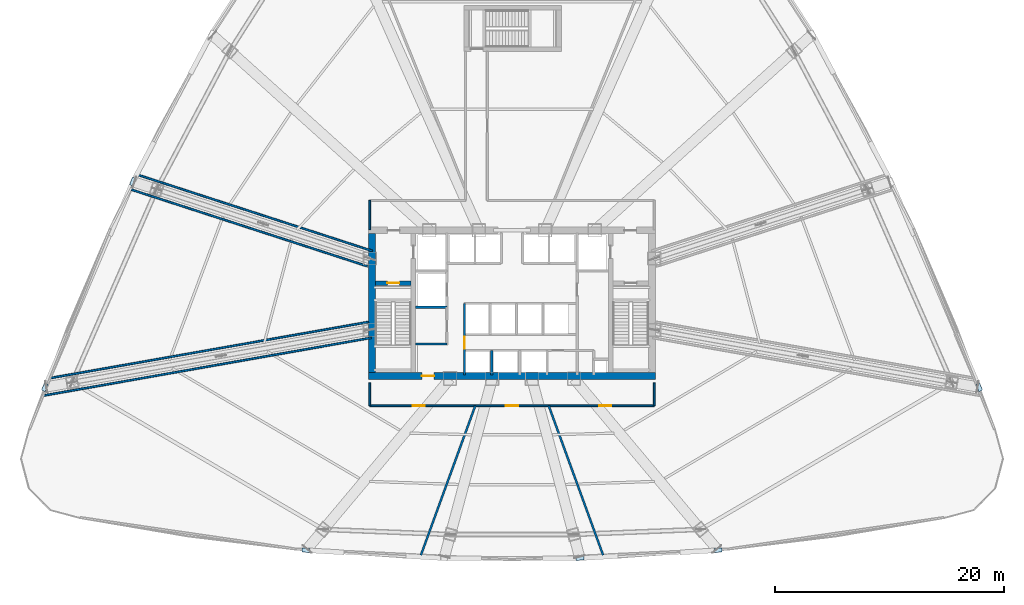
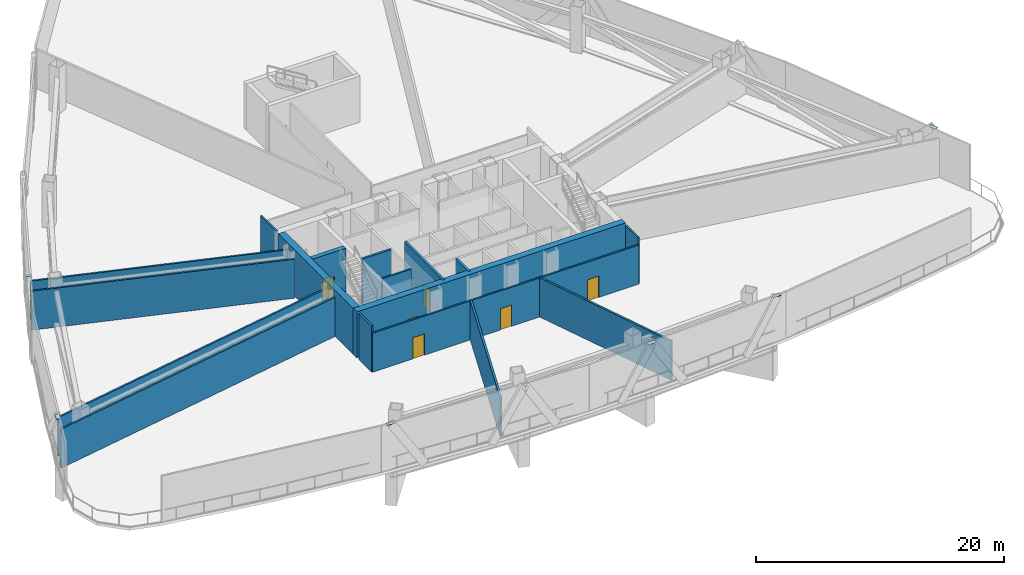
# One storey, part 9 of 17: 17 walls, 6 doors, 6 plates, 6 openings.
"""IFC4 building model written with IfcOpenShell, lengths in metres."""

import ifcopenshell
import ifcopenshell.guid

model = None  # the IFC model being written
_history = None  # IfcOwnerHistory: only IFC2X3 demands one
_inside = {}  # id of a spatial element -> (the spatial element, [elements in it])
_under = {}  # id of a project, library or spatial element -> (it, [spatial elements below it])
_declared = {}  # id of a project -> (the project, [libraries it declares])
_typed = {}  # id of a type object -> (the type object, [elements of that type])
_made_of = {}  # id of a material, layer set ... -> (it, [elements and type objects made of it])


def new_model(schema):
    """Start an empty IFC model of exactly this schema.

    Asked for "IFC4X3", IfcOpenShell would pick the latest addendum, in which some entities
    have other attributes; the version numbers below select the first issue.
    IFC2X3 requires an IfcOwnerHistory on every rooted entity: one is made here for all.
    """
    global model, _history
    if schema == "IFC4X3":
        model = ifcopenshell.file(schema_version=(4, 3, 0, 0))
    else:
        model = ifcopenshell.file(schema=schema)
    _inside.clear()
    _under.clear()
    _declared.clear()
    _typed.clear()
    _made_of.clear()
    _history = None
    if model.schema == "IFC2X3":
        org = make("IfcOrganization", Name="unknown")
        user = make(
            "IfcPersonAndOrganization",
            ThePerson=make("IfcPerson", FamilyName="unknown"),
            TheOrganization=org,
        )
        app = make(
            "IfcApplication",
            ApplicationDeveloper=org,
            Version="unknown",
            ApplicationFullName="unknown",
            ApplicationIdentifier="unknown",
        )
        _history = make(
            "IfcOwnerHistory",
            OwningUser=user,
            OwningApplication=app,
            ChangeAction="ADDED",
            CreationDate=0,
        )
    return model


def make(cls, **values):
    """One entity of the class cls with the attributes given. An attribute that is None is left unset."""
    return model.create_entity(
        cls, **{name: value for name, value in values.items() if value is not None}
    )


def rooted(cls, **values):
    """An entity with a GlobalId (a new one), such as an element, a storey or a relation."""
    return make(cls, GlobalId=ifcopenshell.guid.new(), OwnerHistory=_history, **values)


def si_unit(unit_type, name, prefix=None):
    """IfcSIUnit, for example si_unit("LENGTHUNIT", "METRE", prefix="MILLI")."""
    return make("IfcSIUnit", UnitType=unit_type, Prefix=prefix, Name=name)


def assignment(units):
    """IfcUnitAssignment: the units of a project."""
    return None if units is None else make("IfcUnitAssignment", Units=units)


def point(xyz):
    """IfcCartesianPoint."""
    return None if xyz is None else make("IfcCartesianPoint", Coordinates=xyz)


def direction(xyz):
    """IfcDirection."""
    return None if xyz is None else make("IfcDirection", DirectionRatios=xyz)


def frame(location, z_axis=None, x_axis=None):
    """IfcAxis2Placement3D, a coordinate frame: its origin and axes. An axis left out is left unset."""
    return make(
        "IfcAxis2Placement3D",
        Location=point(location),
        Axis=direction(z_axis),
        RefDirection=direction(x_axis),
    )


def frame_2d(location, x_axis=None):
    """IfcAxis2Placement2D, a coordinate frame in the plane: its origin and x axis."""
    return make(
        "IfcAxis2Placement2D", Location=point(location), RefDirection=direction(x_axis)
    )


def origin():
    """The frame at (0, 0, 0) with its axes left unset."""
    return frame((0.0, 0.0, 0.0))


def origin_with_axes():
    """The frame at (0, 0, 0) with the z axis (0, 0, 1) and the x axis (1, 0, 0) written out."""
    return frame((0.0, 0.0, 0.0), z_axis=(0.0, 0.0, 1.0), x_axis=(1.0, 0.0, 0.0))


def origin_2d():
    """The frame at (0, 0) in the plane with its x axis left unset."""
    return frame_2d((0.0, 0.0))


def place(relative_to, where):
    """IfcLocalPlacement: puts the frame where relative to a parent placement (None: the world)."""
    return make(
        "IfcLocalPlacement", PlacementRelTo=relative_to, RelativePlacement=where
    )


def context(
    kind, dimensions, precision=None, world=None, true_north=None, identifier=None
):
    """IfcGeometricRepresentationContext, for example the 3D "Model" context."""
    return make(
        "IfcGeometricRepresentationContext",
        ContextIdentifier=identifier,
        ContextType=kind,
        CoordinateSpaceDimension=dimensions,
        Precision=precision,
        WorldCoordinateSystem=world,
        TrueNorth=true_north,
    )


def subcontext(parent, identifier, kind, view, scale=None):
    """IfcGeometricRepresentationSubContext, for example "Body" below "Model"."""
    return make(
        "IfcGeometricRepresentationSubContext",
        ContextIdentifier=identifier,
        ContextType=kind,
        ParentContext=parent,
        TargetScale=scale,
        TargetView=view,
    )


def project(units=None, contexts=None):
    """IfcProject with its units and contexts."""
    return rooted(
        "IfcProject",
        Name="project",
        RepresentationContexts=contexts,
        UnitsInContext=assignment(units),
    )


def spatial(cls, under=None, at=None, **own):
    """A site, building, storey or space (cls), placed at a placement, below another one or the project."""
    s = rooted(cls, ObjectPlacement=at, **own)
    if under is not None:
        _under.setdefault(under.id(), (under, []))[1].append(s)
    return s


def profile(cls, at=None, kind="AREA", **sizes):
    """A parametric profile (cls). Its sizes go by their IFC names, for example OverallWidth=200.0."""
    return make(cls, ProfileType=kind, Position=at, **sizes)


def rectangle(**sizes):
    """IfcRectangleProfileDef."""
    return profile("IfcRectangleProfileDef", **sizes)


def extrude(swept, where, along, depth):
    """IfcExtrudedAreaSolid: the profile swept, set in the frame where, extruded along a direction by depth."""
    return make(
        "IfcExtrudedAreaSolid",
        SweptArea=swept,
        Position=where,
        ExtrudedDirection=direction(along),
        Depth=depth,
    )


def shape(context_of_items, identifier, shape_type, items):
    """IfcShapeRepresentation: the items that make up one representation, for example the "Body"."""
    return make(
        "IfcShapeRepresentation",
        ContextOfItems=context_of_items,
        RepresentationIdentifier=identifier,
        RepresentationType=shape_type,
        Items=items,
    )


def source(mapping_origin, context_of_items, identifier, shape_type, items):
    """IfcRepresentationMap: a shape defined once, which mapped items show again and again."""
    return make(
        "IfcRepresentationMap",
        MappingOrigin=mapping_origin,
        MappedRepresentation=shape(context_of_items, identifier, shape_type, items),
    )


def transform(
    local_origin,
    x_axis=None,
    y_axis=None,
    z_axis=None,
    scale=None,
    scale2=None,
    scale3=None,
    uniform=True,
):
    """IfcCartesianTransformationOperator3D, or its non-uniform kind. x_axis, y_axis, z_axis: its Axis1, 2, 3."""
    if uniform:
        return make(
            "IfcCartesianTransformationOperator3D",
            Axis1=direction(x_axis),
            Axis2=direction(y_axis),
            LocalOrigin=point(local_origin),
            Scale=scale,
            Axis3=direction(z_axis),
        )
    return make(
        "IfcCartesianTransformationOperator3DnonUniform",
        Axis1=direction(x_axis),
        Axis2=direction(y_axis),
        LocalOrigin=point(local_origin),
        Scale=scale,
        Axis3=direction(z_axis),
        Scale2=scale2,
        Scale3=scale3,
    )


def mapped(mapping_source, mapping_target):
    """IfcMappedItem: shows the shape of a source again, moved by a transform."""
    return make(
        "IfcMappedItem", MappingSource=mapping_source, MappingTarget=mapping_target
    )


def material(Name=None, Category=None):
    """IfcMaterial."""
    return make("IfcMaterial", Name=Name, Category=Category)


def layer(
    of_material, thickness, ventilated=None, Name=None, Category=None, Priority=None
):
    """IfcMaterialLayer: one layer of a wall or slab, of a material (None: an air gap)."""
    return make(
        "IfcMaterialLayer",
        Material=of_material,
        LayerThickness=thickness,
        IsVentilated=ventilated,
        Name=Name,
        Category=Category,
        Priority=Priority,
    )


def layer_set(layers, Name=None):
    """IfcMaterialLayerSet."""
    return make("IfcMaterialLayerSet", MaterialLayers=layers, LayerSetName=Name)


def made_of(thing, what):
    """Note that an element or type object is made of a material, layer set ...; save() writes the relation."""
    if what is not None:
        _made_of.setdefault(what.id(), (what, []))[1].append(thing)
    return thing


def type_object(cls, material=None, **own):
    """A type object (cls), such as IfcWallType, which elements share."""
    return made_of(rooted(cls, **own), material)


def element(
    cls,
    number,
    at=None,
    inside=None,
    cuts=None,
    type_object=None,
    material=None,
    context=None,
    identifier="Body",
    shape_type=None,
    held_by="IfcProductDefinitionShape",
    body=None,
    shapes=None,
    **own,
):
    """One element of the class cls, such as IfcWall. Its Tag is "e" and its number.

    at: its placement. inside: the storey or other place that contains it. cuts: it is an
    opening in that element (IfcRelVoidsElement). A single representation is given by context,
    identifier, shape_type and body (its items); several are given by shapes. held_by: the class
    of the entity that holds the representations. save() writes the other relations.
    """
    e = rooted(cls, Tag="e%d" % number, ObjectPlacement=at, **own)
    if body is not None:
        shapes = [shape(context, identifier, shape_type, body)]
    if shapes is not None:
        e.Representation = make(held_by, Representations=shapes)
    if inside is not None:
        _inside.setdefault(inside.id(), (inside, []))[1].append(e)
    if cuts is not None:
        rooted(
            "IfcRelVoidsElement", RelatingBuildingElement=cuts, RelatedOpeningElement=e
        )
    if type_object is not None:
        _typed.setdefault(type_object.id(), (type_object, []))[1].append(e)
    return made_of(e, material)


def fill(opening, filler):
    """IfcRelFillsElement: the door or window that sits in an opening."""
    return rooted(
        "IfcRelFillsElement",
        RelatingOpeningElement=opening,
        RelatedBuildingElement=filler,
    )


def aggregate(whole, parts):
    """IfcRelAggregates: a whole, such as a stair, and the parts it consists of."""
    return rooted("IfcRelAggregates", RelatingObject=whole, RelatedObjects=parts)


def save(model, path):
    """Write the relations noted so far, then the file.

    IfcRelAggregates (storeys below a building ...), IfcRelContainedInSpatialStructure (elements
    in a storey), IfcRelDefinesByType, IfcRelAssociatesMaterial and IfcRelDeclares: one each for
    every whole, place, type object, material and project.
    """
    for whole, parts in _under.values():
        aggregate(whole, parts)
    for where, things in _inside.values():
        rooted(
            "IfcRelContainedInSpatialStructure",
            RelatedElements=things,
            RelatingStructure=where,
        )
    for kind, things in _typed.values():
        rooted("IfcRelDefinesByType", RelatedObjects=things, RelatingType=kind)
    for what, things in _made_of.values():
        rooted("IfcRelAssociatesMaterial", RelatedObjects=things, RelatingMaterial=what)
    for by, libraries in _declared.values():
        rooted("IfcRelDeclares", RelatingContext=by, RelatedDefinitions=libraries)
    model.write(path)


model = new_model("IFC4")

# Units and contexts
model_context = context("Model", 3, precision=1e-05, world=origin(), true_north=direction((0.0, 1.0)))
body_context = subcontext(model_context, "Body", "Model", "MODEL_VIEW")
ifc_project = project(units=[si_unit("LENGTHUNIT", "METRE"), si_unit("AREAUNIT", "SQUARE_METRE"), si_unit("VOLUMEUNIT", "CUBIC_METRE"), si_unit("PLANEANGLEUNIT", "RADIAN"), si_unit("MASSUNIT", "GRAM", prefix="KILO"), si_unit("THERMODYNAMICTEMPERATUREUNIT", "KELVIN"), si_unit("POWERUNIT", "WATT")], contexts=[model_context])

# Site, building, storey
site_placement = place(None, origin())
site = spatial("IfcSite", under=ifc_project, at=site_placement, CompositionType="ELEMENT")
building_placement = place(site_placement, origin())
building = spatial("IfcBuilding", under=site, at=building_placement, Name="Yunzhuo Pagoda Commons", CompositionType="ELEMENT")
storey_placement = place(building_placement, frame((0.0, 0.0, 76.3798828125)))
storey = spatial("IfcBuildingStorey", under=building, at=storey_placement, Name="L19", CompositionType="ELEMENT", Elevation=76.3798828125)

# Plates
ifc_material_1 = material(Name="Structural steel Q355B", Category="steel")
ifc_layer_1 = layer(ifc_material_1, 0.028076171875)
ifc_layer_set_1 = layer_set([ifc_layer_1], Name="Structural steel Q355B")
plate_type = type_object("IfcPlateType", Name="SP-ND1 Lattice Node Cap Plate 800x500x28", PredefinedType="USERDEFINED", material=ifc_layer_set_1)
shared_shape_1 = source(origin(), body_context, "Body", "SweptSolid", [
    extrude(rectangle(XDim=0.699951171875, YDim=0.35009765625, at=origin_2d()), origin(), (0.0, 0.0, 1.0), 0.035888671875),
])
for number, where, z_axis, x_axis, name in (
    (1, (30.037841796875, 12.293701171875, 4.501953125), (0.0, 0.0, 1.0), (0.998349844337, -0.057424631585, 0.0), "L19 setback lattice tie plate F1.1L"),
    (2, (53.92138671875, 11.60107421875, 4.501953125), (0.0, 0.0, 1.0), (0.998349844337, 0.057424631585, 0.0), "L19 setback lattice tie plate F1.3L"),
    (3, (65.962158203125, 12.293701171875, 4.501953125), (0.0, 0.0, 1.0), (0.998349844337, 0.057424631585, 0.0), "L19 setback lattice tie plate F1.3R"),
    (4, (88.742919921875, 26.515869140625, 4.501953125), (0.0, 0.0, 1.0), (-0.39366917931, 0.919252183713, 0.0), "L19 setback lattice tie plate F2.1L"),
    (5, (14.934814453125, 44.443603515625, 4.501953125), (0.0, 0.0, 1.0), (-0.39366917931, -0.919252183713, 0.0), "L19 setback lattice tie plate F3.3L"),
    (6, (7.257080078125, 26.515869140625, 4.501953125), (0.0, 0.0, 1.0), (-0.39366917931, -0.919252183713, 0.0), "L19 setback lattice tie plate F3.3R"),
):
    element("IfcPlate", number, at=place(storey_placement, frame(where, z_axis=z_axis, x_axis=x_axis)), inside=storey, type_object=plate_type, Name=name, ObjectType="STIFFENER_PLATE", PredefinedType="USERDEFINED", context=body_context, shape_type="MappedRepresentation", body=[
        mapped(shared_shape_1, transform((0.0, 0.0, 0.0), scale=1.0)),
    ])

# Wall, opening, door
ifc_material_2 = material(Name="Concrete C60", Category="concrete")
ifc_layer_2 = layer(ifc_material_2, 0.60009765625)
ifc_layer_set_2 = layer_set([ifc_layer_2], Name="Concrete C60")
wall_type_1 = type_object("IfcWallType", Name="W-C02 Mid Core Shear Wall 600", PredefinedType="SHEAR", material=ifc_layer_set_2)
wall_1_placement = place(storey_placement, frame((35.5, 27.5, 0.0), z_axis=(0.0, 0.0, 1.0), x_axis=(1.0, 0.0, 0.0)))
wall_1 = element("IfcWall", 7, at=wall_1_placement, inside=storey, type_object=wall_type_1, Name="L19 core shear wall S", PredefinedType="SHEAR", context=body_context, shape_type="SweptSolid", body=[
    extrude(rectangle(XDim=25.0, YDim=0.60009765625, at=frame_2d((12.5, 0.0))), origin(), (0.0, 0.0, 1.0), 4.5400390625),
])
opening_1_placement = place(wall_1_placement, frame((4.64990234375, 0.0, 0.0)))
opening_1 = element("IfcOpeningElement", 8, at=opening_1_placement, cuts=wall_1, Name="Opening D-02", PredefinedType="OPENING", context=body_context, shape_type="SweptSolid", body=[
    extrude(rectangle(XDim=1.050048828125, YDim=2.10009765625, at=frame_2d((0.52490234375, 1.050048828125))), frame((0.0, 0.31005859375, 0.0), z_axis=(0.0, -1.0, 0.0), x_axis=(1.0, 0.0, 0.0)), (0.0, 0.0, 1.0), 0.6201171875),
])
ifc_material_3 = material(Name="Galvanized fire-resisting metal leaf")
door_type_1 = type_object("IfcDoorType", Name="D-02 Firefighting Lobby & Refuge Fire Door 1050x2100", OperationType="NOTDEFINED", PredefinedType="DOOR", material=ifc_material_3)
shared_shape_2 = source(origin(), body_context, "Body", "SweptSolid", [
    extrude(rectangle(XDim=1.050048828125, YDim=2.10009765625, at=frame_2d((0.52490234375, 1.050048828125))), frame((0.0, 0.02490234375, 0.0), z_axis=(0.0, -1.0, 0.0), x_axis=(1.0, 0.0, 0.0)), (0.0, 0.0, 1.0), 0.050048828125),
])
door_1_placement = place(opening_1_placement, frame((1.050048828125, 0.0, 0.0), z_axis=(0.0, 0.0, 1.0), x_axis=(-1.0, 0.0, 0.0)))
door_1 = element("IfcDoor", 9, at=door_1_placement, inside=storey, type_object=door_type_1, Name="L19 core south refuge lobby fire door", OperationType="SINGLE_SWING_LEFT", OverallHeight=2.10009765625, OverallWidth=1.050048828125, PredefinedType="DOOR", context=body_context, shape_type="MappedRepresentation", body=[
    mapped(shared_shape_2, transform((0.0, 0.0, 0.0), scale=1.0)),
])
fill(opening_1, door_1)

# Walls
wall_2_placement = place(storey_placement, frame((35.800048828125, 27.800048828125, 0.0), z_axis=(0.0, 0.0, 1.0), x_axis=(0.0, 1.0, 0.0)))
element("IfcWall", 10, at=wall_2_placement, inside=storey, type_object=wall_type_1, Name="L19 core shear wall W", PredefinedType="SHEAR", context=body_context, shape_type="SweptSolid", body=[
    extrude(rectangle(XDim=12.099853515625, YDim=0.60009765625, at=frame_2d((6.0498046875, 0.0))), origin(), (0.0, 0.0, 1.0), 4.5400390625),
])
ifc_material_4 = material(Name="Gypsum plasterboard on acoustic stud")
ifc_layer_3 = layer(ifc_material_4, 0.159912109375)
ifc_layer_set_3 = layer_set([ifc_layer_3], Name="Gypsum plasterboard on acoustic stud")
wall_type_2 = type_object("IfcWallType", Name="W-COR1 Tower Rated Corridor Wall 160", PredefinedType="PARTITIONING", material=ifc_layer_set_3)
wall_3_placement = place(storey_placement, frame((39.60009765625, 30.280029296875, 0.0), z_axis=(0.0, 0.0, 1.0), x_axis=(1.0, 0.0, 0.0)))
element("IfcWall", 11, at=wall_3_placement, inside=storey, type_object=wall_type_2, Name="L19 interior wall IW-L19-LLOBSN", PredefinedType="PARTITIONING", context=body_context, shape_type="SweptSolid", body=[
    extrude(rectangle(XDim=2.719970703125, YDim=0.159912109375, at=frame_2d((1.35986328125, 0.0))), origin(), (0.0, 0.0, 1.0), 4.5400390625),
])
wall_4_placement = place(storey_placement, frame((35.81640625, 38.394775390625, 0.0), z_axis=(0.0, 0.0, 1.0), x_axis=(-0.951057789573, 0.309013075603, 0.0)))
element("IfcWall", 12, at=wall_4_placement, inside=storey, type_object=wall_type_2, Name="L19 interior wall IW-L19-OTW05", PredefinedType="PARTITIONING", context=body_context, shape_type="SweptSolid", body=[
    extrude(rectangle(XDim=21.47802734375, YDim=0.159912109375, at=frame_2d((10.739013671875, 0.0))), origin(), (0.0, 0.0, 1.0), 3.840087890625),
])
wall_5_placement = place(storey_placement, frame((35.3837890625, 37.063232421875, 0.0), z_axis=(0.0, 0.0, 1.0), x_axis=(-0.951055634406, 0.309019708539, 0.0)))
element("IfcWall", 13, at=wall_5_placement, inside=storey, type_object=wall_type_2, Name="L19 interior wall IW-L19-OTW06", PredefinedType="PARTITIONING", context=body_context, shape_type="SweptSolid", body=[
    extrude(rectangle(XDim=21.71142578125, YDim=0.159912109375, at=frame_2d((10.855712890625, 0.0))), origin(), (0.0, 0.0, 1.0), 3.840087890625),
])
wall_6_placement = place(storey_placement, frame((35.478515625, 32.202880859375, 0.0), z_axis=(0.0, 0.0, 1.0), x_axis=(-0.984808219267, -0.173645533386, 0.0)))
element("IfcWall", 14, at=wall_6_placement, inside=storey, type_object=wall_type_2, Name="L19 interior wall IW-L19-OTW07", PredefinedType="PARTITIONING", context=body_context, shape_type="SweptSolid", body=[
    extrude(rectangle(XDim=28.19384765625, YDim=0.159912109375, at=frame_2d((14.096923828125, 0.0))), origin(), (0.0, 0.0, 1.0), 3.840087890625),
])
wall_7_placement = place(storey_placement, frame((35.7216796875, 30.82421875, 0.0), z_axis=(0.0, 0.0, 1.0), x_axis=(-0.984807902687, -0.173647328815, 0.0)))
element("IfcWall", 15, at=wall_7_placement, inside=storey, type_object=wall_type_2, Name="L19 interior wall IW-L19-OTW08", PredefinedType="PARTITIONING", context=body_context, shape_type="SweptSolid", body=[
    extrude(rectangle(XDim=29.0654296875, YDim=0.159912109375, at=frame_2d((14.53271484375, 0.0))), origin(), (0.0, 0.0, 1.0), 3.840087890625),
])
wall_8_placement = place(storey_placement, frame((35.60009765625, 40.25, 0.0), z_axis=(0.0, 0.0, 1.0), x_axis=(0.0, 1.0, 0.0)))
element("IfcWall", 16, at=wall_8_placement, inside=storey, type_object=wall_type_2, Name="L19 interior wall IW-L19-SCW01", PredefinedType="PARTITIONING", context=body_context, shape_type="SweptSolid", body=[
    extrude(rectangle(XDim=2.550048828125, YDim=0.159912109375, at=frame_2d((1.27490234375, 0.0))), origin(), (0.0, 0.0, 1.0), 4.5400390625),
])
wall_9_placement = place(storey_placement, frame((60.39990234375, 26.89990234375, 0.0), z_axis=(0.0, 0.0, 1.0), x_axis=(0.0, -1.0, 0.0)))
element("IfcWall", 17, at=wall_9_placement, inside=storey, type_object=wall_type_2, Name="L19 interior wall IW-L19-SCW07", PredefinedType="PARTITIONING", context=body_context, shape_type="SweptSolid", body=[
    extrude(rectangle(XDim=2.0, YDim=0.159912109375, at=frame_2d((1.0, 0.0))), origin(), (0.0, 0.0, 1.0), 4.5400390625),
])

# Wall, openings, doors
wall_10_placement = place(storey_placement, frame((60.39990234375, 24.89990234375, 0.0), z_axis=(0.0, 0.0, 1.0), x_axis=(-1.0, 0.0, 0.0)))
wall_10 = element("IfcWall", 18, at=wall_10_placement, inside=storey, type_object=wall_type_2, Name="L19 interior wall IW-L19-SCW08", PredefinedType="PARTITIONING", context=body_context, shape_type="SweptSolid", body=[
    extrude(rectangle(XDim=24.7998046875, YDim=0.159912109375, at=frame_2d((12.39990234375, 0.0))), origin(), (0.0, 0.0, 1.0), 3.840087890625),
])
opening_2_placement = place(wall_10_placement, frame((3.74853515625, 0.0, 0.0)))
opening_2 = element("IfcOpeningElement", 19, at=opening_2_placement, cuts=wall_10, Name="Opening D-02", PredefinedType="OPENING", context=body_context, shape_type="SweptSolid", body=[
    extrude(rectangle(XDim=1.050048828125, YDim=2.10009765625, at=frame_2d((0.52490234375, 1.050048828125))), frame((0.0, 0.08984375, 0.0), z_axis=(0.0, -1.0, 0.0), x_axis=(1.0, 0.0, 0.0)), (0.0, 0.0, 1.0), 0.179931640625),
])
opening_3_placement = place(wall_10_placement, frame((20.00146484375, 0.0, 0.0)))
opening_3 = element("IfcOpeningElement", 20, at=opening_3_placement, cuts=wall_10, Name="Opening D-02", PredefinedType="OPENING", context=body_context, shape_type="SweptSolid", body=[
    extrude(rectangle(XDim=1.050048828125, YDim=2.10009765625, at=frame_2d((0.52490234375, 1.050048828125))), frame((0.0, 0.08984375, 0.0), z_axis=(0.0, -1.0, 0.0), x_axis=(1.0, 0.0, 0.0)), (0.0, 0.0, 1.0), 0.179931640625),
])
opening_4_placement = place(wall_10_placement, frame((11.875, 0.0, 0.0)))
opening_4 = element("IfcOpeningElement", 21, at=opening_4_placement, cuts=wall_10, Name="Opening D-02", PredefinedType="OPENING", context=body_context, shape_type="SweptSolid", body=[
    extrude(rectangle(XDim=1.050048828125, YDim=2.10009765625, at=frame_2d((0.52490234375, 1.050048828125))), frame((0.0, 0.08984375, 0.0), z_axis=(0.0, -1.0, 0.0), x_axis=(1.0, 0.0, 0.0)), (0.0, 0.0, 1.0), 0.179931640625),
])
door_2_placement = place(opening_2_placement, origin_with_axes())
door_2 = element("IfcDoor", 22, at=door_2_placement, inside=storey, type_object=door_type_1, Name="L19 Air Handling Plant Room door", OperationType="SINGLE_SWING_LEFT", OverallHeight=2.10009765625, OverallWidth=1.050048828125, PredefinedType="DOOR", context=body_context, shape_type="MappedRepresentation", body=[
    mapped(shared_shape_2, transform((0.0, 0.0, 0.0), scale=1.0)),
])
fill(opening_2, door_2)
door_3_placement = place(opening_3_placement, origin_with_axes())
door_3 = element("IfcDoor", 23, at=door_3_placement, inside=storey, type_object=door_type_1, Name="L19 Hydronic and Fire Pump Plant Room door", OperationType="SINGLE_SWING_LEFT", OverallHeight=2.10009765625, OverallWidth=1.050048828125, PredefinedType="DOOR", context=body_context, shape_type="MappedRepresentation", body=[
    mapped(shared_shape_2, transform((0.0, 0.0, 0.0), scale=1.0)),
])
fill(opening_3, door_3)
door_4_placement = place(opening_4_placement, origin_with_axes())
door_4 = element("IfcDoor", 24, at=door_4_placement, inside=storey, type_object=door_type_1, Name="L19 South Refuge Area door", OperationType="SINGLE_SWING_RIGHT", OverallHeight=2.10009765625, OverallWidth=1.050048828125, PredefinedType="DOOR", context=body_context, shape_type="MappedRepresentation", body=[
    mapped(shared_shape_2, transform((0.0, 0.0, 0.0), scale=1.0)),
])
fill(opening_4, door_4)

# Walls
wall_11_placement = place(storey_placement, frame((35.60009765625, 24.89990234375, 0.0), z_axis=(0.0, 0.0, 1.0), x_axis=(0.0, 1.0, 0.0)))
element("IfcWall", 25, at=wall_11_placement, inside=storey, type_object=wall_type_2, Name="L19 interior wall IW-L19-SCW09", PredefinedType="PARTITIONING", context=body_context, shape_type="SweptSolid", body=[
    extrude(rectangle(XDim=2.0, YDim=0.159912109375, at=frame_2d((1.0, 0.0))), origin(), (0.0, 0.0, 1.0), 4.5400390625),
])
ifc_layer_4 = layer(ifc_material_4, 0.179931640625)
ifc_layer_set_4 = layer_set([ifc_layer_4], Name="Gypsum plasterboard on acoustic stud")
wall_type_3 = type_object("IfcWallType", Name="W-PRT2 Acoustic Unit Demising Wall 180", PredefinedType="PARTITIONING", material=ifc_layer_set_4)
for number, where, z_axis, x_axis, name in (
    (26, (44.797119140625, 24.89990234375, 0.0), (0.0, 0.0, 1.0), (-0.342032780243, -0.939688021228, 0.0), "L19 interior wall IW-L19-SRAD3"),
    (27, (51.202880859375, 24.89990234375, 0.0), (0.0, 0.0, 1.0), (0.342032780243, -0.939688021228, 0.0), "L19 interior wall IW-L19-SRAD4"),
):
    element("IfcWall", number, at=place(storey_placement, frame(where, z_axis=z_axis, x_axis=x_axis)), inside=storey, type_object=wall_type_3, Name=name, PredefinedType="PARTITIONING", context=body_context, shape_type="SweptSolid", body=[
        extrude(rectangle(XDim=13.86962890625, YDim=0.179931640625, at=frame_2d((6.934814453125, 0.0))), origin(), (0.0, 0.0, 1.0), 3.840087890625),
    ])

# Wall, opening, door
ifc_layer_5 = layer(ifc_material_2, 0.39990234375)
ifc_layer_set_5 = layer_set([ifc_layer_5], Name="Concrete C60")
wall_type_4 = type_object("IfcWallType", Name="W-S01 Internal Core Shear Web 400", PredefinedType="SHEAR", material=ifc_layer_set_5)
wall_12_placement = place(storey_placement, frame((36.10009765625, 35.60009765625, 0.0), z_axis=(0.0, 0.0, 1.0), x_axis=(1.0, 0.0, 0.0)))
wall_12 = element("IfcWall", 28, at=wall_12_placement, inside=storey, type_object=wall_type_4, Name="L19 core shear wall STW", PredefinedType="SHEAR", context=body_context, shape_type="SweptSolid", body=[
    extrude(rectangle(XDim=3.099853515625, YDim=0.39990234375, at=frame_2d((1.5498046875, 0.0))), origin(), (0.0, 0.0, 1.0), 4.5400390625),
])
opening_5_placement = place(wall_12_placement, frame((1.02001953125, 0.0, 0.0)))
opening_5 = element("IfcOpeningElement", 29, at=opening_5_placement, cuts=wall_12, Name="Opening D-01", PredefinedType="OPENING", context=body_context, shape_type="SweptSolid", body=[
    extrude(rectangle(XDim=1.050048828125, YDim=2.10009765625, at=frame_2d((0.52490234375, 1.050048828125))), frame((0.0, 0.2099609375, 0.0), z_axis=(0.0, -1.0, 0.0), x_axis=(1.0, 0.0, 0.0)), (0.0, 0.0, 1.0), 0.419921875),
])
door_type_2 = type_object("IfcDoorType", Name="D-01 Smokeproof Stair Fire Door 1050x2100", OperationType="NOTDEFINED", PredefinedType="DOOR", material=ifc_material_3)
door_5_placement = place(opening_5_placement, frame((1.050048828125, 0.0, 0.0), z_axis=(0.0, 0.0, 1.0), x_axis=(-1.0, 0.0, 0.0)))
door_5 = element("IfcDoor", 30, at=door_5_placement, inside=storey, type_object=door_type_2, Name="L19 Stair ST1 fire door", OperationType="SINGLE_SWING_LEFT", OverallHeight=2.10009765625, OverallWidth=1.050048828125, PredefinedType="DOOR", context=body_context, shape_type="MappedRepresentation", body=[
    mapped(shared_shape_2, transform((0.0, 0.0, 0.0), scale=1.0)),
])
fill(opening_5, door_5)

# Wall
ifc_material_5 = material(Name="Concrete C40", Category="concrete")
ifc_layer_6 = layer(ifc_material_5, 0.199951171875)
ifc_layer_set_6 = layer_set([ifc_layer_6], Name="Concrete C40")
wall_type_5 = type_object("IfcWallType", Name="W-SHF Shaft & Stair Enclosure Wall 200", PredefinedType="SOLIDWALL", material=ifc_layer_set_6)
wall_13_placement = place(storey_placement, frame((39.60009765625, 33.5, 0.0), z_axis=(0.0, 0.0, 1.0), x_axis=(1.0, 0.0, 0.0)))
element("IfcWall", 31, at=wall_13_placement, inside=storey, type_object=wall_type_5, Name="L19 interior wall IW-L19-SL1S", PredefinedType="SOLIDWALL", context=body_context, shape_type="SweptSolid", body=[
    extrude(rectangle(XDim=2.719970703125, YDim=0.199951171875, at=frame_2d((1.35986328125, 0.0))), origin(), (0.0, 0.0, 1.0), 4.5400390625),
])

# Wall, opening, door
wall_14_placement = place(storey_placement, frame((43.85009765625, 27.60009765625, 0.0), z_axis=(0.0, 0.0, 1.0), x_axis=(0.0, 1.0, 0.0)))
wall_14 = element("IfcWall", 32, at=wall_14_placement, inside=storey, type_object=wall_type_5, Name="L19 interior wall IW-L19-PLMW", PredefinedType="SOLIDWALL", context=body_context, shape_type="SweptSolid", body=[
    extrude(rectangle(XDim=6.219970703125, YDim=0.199951171875, at=frame_2d((3.10986328125, 0.0))), origin(), (0.0, 0.0, 1.0), 4.5400390625),
])
opening_6_placement = place(wall_14_placement, frame((2.25, 0.0, 0.0)))
opening_6 = element("IfcOpeningElement", 33, at=opening_6_placement, cuts=wall_14, Name="Opening D-02", PredefinedType="OPENING", context=body_context, shape_type="SweptSolid", body=[
    extrude(rectangle(XDim=1.050048828125, YDim=2.10009765625, at=frame_2d((0.52490234375, 1.050048828125))), frame((0.0, 0.10986328125, 0.0), z_axis=(0.0, -1.0, 0.0), x_axis=(1.0, 0.0, 0.0)), (0.0, 0.0, 1.0), 0.219970703125),
])
door_6_placement = place(opening_6_placement, frame((1.050048828125, 0.0, 0.0), z_axis=(0.0, 0.0, 1.0), x_axis=(-1.0, 0.0, 0.0)))
door_6 = element("IfcDoor", 34, at=door_6_placement, inside=storey, type_object=door_type_1, Name="L19 High-bank hall west door", OperationType="SINGLE_SWING_LEFT", OverallHeight=2.10009765625, OverallWidth=1.050048828125, PredefinedType="DOOR", context=body_context, shape_type="MappedRepresentation", body=[
    mapped(shared_shape_2, transform((0.0, 0.0, 0.0), scale=1.0)),
])
fill(opening_6, door_6)

# Wall
wall_15_placement = place(storey_placement, frame((46.22509765625, 27.60009765625, 0.0), z_axis=(0.0, 0.0, 1.0), x_axis=(0.0, 1.0, 0.0)))
element("IfcWall", 35, at=wall_15_placement, inside=storey, type_object=wall_type_5, Name="L19 interior wall IW-L19-PLHD1", PredefinedType="SOLIDWALL", context=body_context, shape_type="SweptSolid", body=[
    extrude(rectangle(XDim=2.119873046875, YDim=0.199951171875, at=frame_2d((1.06005859375, 0.0))), origin(), (0.0, 0.0, 1.0), 4.5400390625),
])

save(model, "model.ifc")
